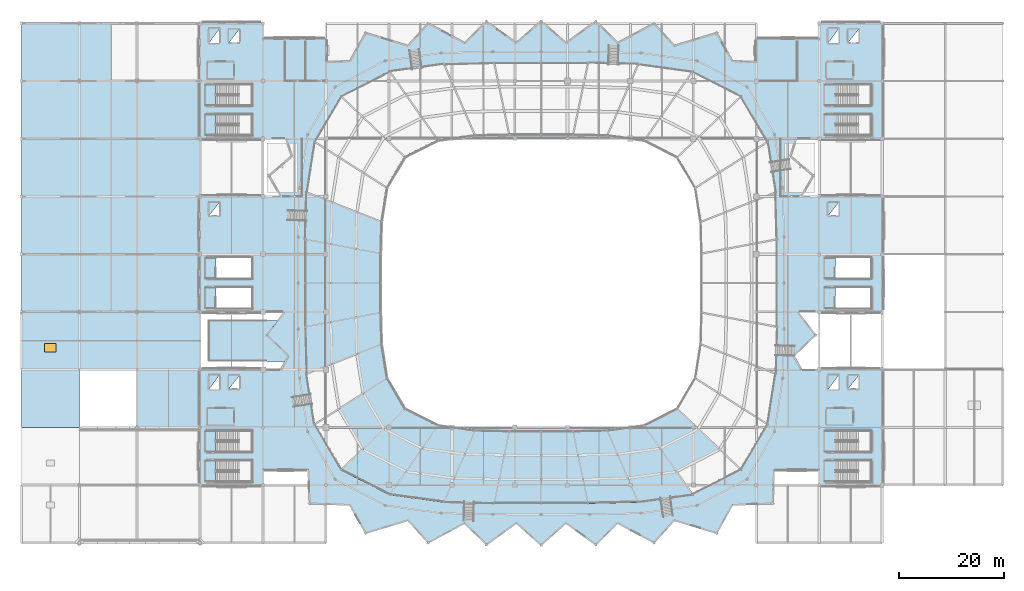
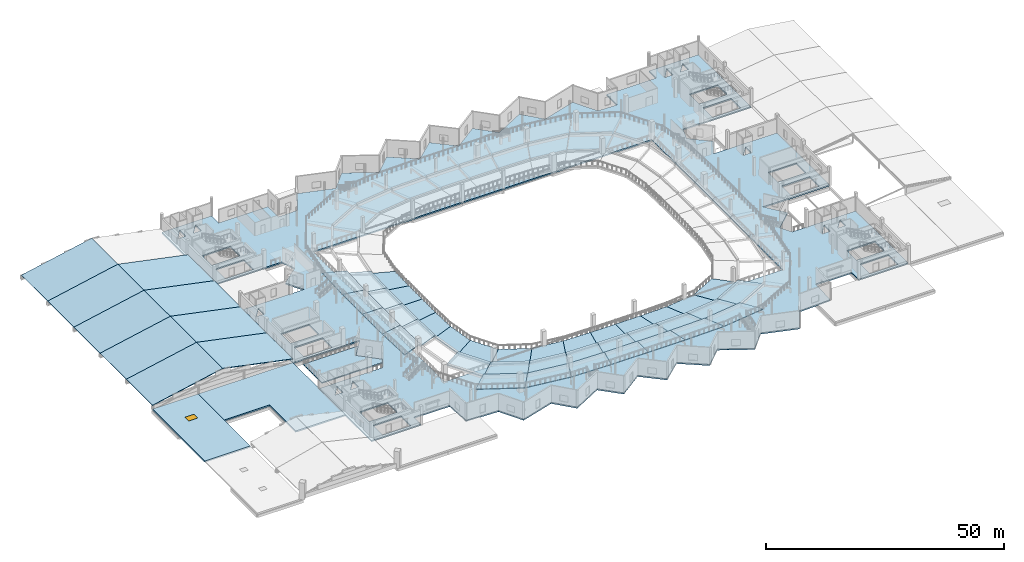
# One storey, part 35 of 77: 51 slabs, 1 window, 1 opening.
"""IFC4 building model written with IfcOpenShell, lengths in metres."""

from ifc_helpers import new_model, si_unit, direction, frame, origin, origin_2d, place, context, subcontext, project, spatial, polyline, rectangle, outline, extrude, material, layer, layer_set, type_object, element, fill, save


model = new_model("IFC4")

# Units and contexts
model_context = context("Model", 3, precision=1e-05, world=origin(), true_north=direction((0.0, 1.0)))
body_context = subcontext(model_context, "Body", "Model", "MODEL_VIEW")
ifc_project = project(units=[si_unit("LENGTHUNIT", "METRE"), si_unit("AREAUNIT", "SQUARE_METRE"), si_unit("VOLUMEUNIT", "CUBIC_METRE"), si_unit("PLANEANGLEUNIT", "RADIAN"), si_unit("MASSUNIT", "GRAM", prefix="KILO")], contexts=[model_context])

# Site, building, storey
site_placement = place(None, origin())
site = spatial("IfcSite", under=ifc_project, at=site_placement, CompositionType="ELEMENT")
building_placement = place(site_placement, origin())
building = spatial("IfcBuilding", under=site, at=building_placement, Name="Luwafu Chhajja Arena", CompositionType="ELEMENT")
storey_placement = place(building_placement, frame((0.0, 0.0, 14.699951171875)))
storey = spatial("IfcBuildingStorey", under=building, at=storey_placement, Name="L03", CompositionType="ELEMENT", Elevation=14.699951171875)

# Slab, opening, window
ifc_material_1 = material(Name="Concrete C35/45", Category="concrete")
ifc_layer_1 = layer(ifc_material_1, 0.360107421875, Name="Concrete C35/45")
ifc_layer_set_1 = layer_set([ifc_layer_1], Name="Concrete C35/45")
slab_type_1 = type_object("IfcSlabType", Name="Core Overrun Structural Roof Cap 360", PredefinedType="ROOF", material=ifc_layer_set_1)
slab_1_placement = place(storey_placement, frame((0.0, 0.0, -0.35986328125)))
slab_1 = element("IfcSlab", 1, at=slab_1_placement, inside=storey, type_object=slab_type_1, Name="L03 Core C7 Roof Slab", PredefinedType="ROOF", context=body_context, shape_type="SweptSolid", body=[
    extrude(outline(polyline([(0.0, 22.0), (11.0, 22.0), (11.0, 44.0), (0.0, 44.0), (0.0, 22.0)])), origin(), (0.0, 0.0, 1.0), 0.35986328125),
])
opening_placement = place(slab_1_placement, frame((5.5, 37.199951171875, -0.010009765625)))
opening = element("IfcOpeningElement", 2, at=opening_placement, cuts=slab_1, Name="Opening SK-01", PredefinedType="OPENING", context=body_context, shape_type="SweptSolid", body=[
    extrude(rectangle(XDim=2.199951171875, YDim=1.60009765625, at=origin_2d()), origin(), (0.0, 0.0, 1.0), 0.3798828125),
])
ifc_material_2 = material(Name="Solar-control laminated glass", Category="glass")
window_type = type_object("IfcWindowType", Name="Quadrant Core North-Light Skylight 2200x1600", PartitioningType="SINGLE_PANEL", PredefinedType="SKYLIGHT", material=ifc_material_2)
window_placement = place(opening_placement, frame((0.0, 0.0, 0.31982421875)))
window = element("IfcWindow", 3, at=window_placement, inside=storey, type_object=window_type, Name="L03 Roof Skylight and Access Hatch 11", OverallHeight=1.60009765625, OverallWidth=2.199951171875, PartitioningType="SINGLE_PANEL", PredefinedType="SKYLIGHT", context=body_context, shape_type="SweptSolid", body=[
    extrude(rectangle(XDim=2.199951171875, YDim=1.60009765625, at=origin_2d()), origin(), (0.0, 0.0, 1.0), 0.050048828125),
])
fill(opening, window)

# Slabs
slab_2_placement = place(storey_placement, frame((0.0, 0.0, -0.35986328125)))
element("IfcSlab", 4, at=slab_2_placement, inside=storey, type_object=slab_type_1, Name="L03 Podium Structural Roof Slab 01-1", PredefinedType="ROOF", context=body_context, shape_type="SweptSolid", body=[
    extrude(outline(polyline([(34.0, 33.02001953125), (33.97998046875, 33.0), (33.97998046875, 22.0), (22.0, 22.0), (22.0, 33.0), (11.02001953125, 33.0), (11.02001953125, 44.0), (33.97998046875, 44.0), (34.0, 43.97998046875), (34.0, 33.02001953125)])), origin(), (0.0, 0.0, 1.0), 0.35986328125),
])
ifc_layer_2 = layer(ifc_material_1, 0.27001953125, Name="Concrete C35/45")
ifc_layer_set_2 = layer_set([ifc_layer_2], Name="Concrete C35/45")
slab_type_2 = type_object("IfcSlabType", Name="External Viewing Terrace Slab 270", PredefinedType="FLOOR", material=ifc_layer_set_2)
slab_3_placement = place(storey_placement, frame((0.0, 0.0, -0.27001953125)))
element("IfcSlab", 5, at=slab_3_placement, inside=storey, type_object=slab_type_2, Name="L03 West Supporters Viewing Terrace", PredefinedType="FLOOR", context=body_context, shape_type="SweptSolid", body=[
    extrude(outline(polyline([(35.60009765625, 34.60009765625), (35.60009765625, 42.39990234375), (48.887939453125, 42.39990234375), (46.739990234375, 39.60205078125), (50.884033203125, 35.60400390625), (50.30908203125, 34.60009765625), (35.60009765625, 34.60009765625)])), origin(), (0.0, 0.0, 1.0), 0.27001953125),
])
ifc_material_3 = material(Name="Precast concrete C40/50", Category="concrete")
ifc_layer_3 = layer(ifc_material_3, 0.2099609375, Name="Precast concrete C40/50")
ifc_layer_set_3 = layer_set([ifc_layer_3], Name="Precast concrete C40/50")
slab_type_3 = type_object("IfcSlabType", Name="Precast Upper Seating Tier Slab 210", PredefinedType="USERDEFINED", material=ifc_layer_set_3)
slab_4_placement = place(storey_placement, frame((0.0, 0.0, 0.6201171875)))
element("IfcSlab", 6, at=slab_4_placement, inside=storey, type_object=slab_type_3, Name="Stand Upper Tier Sector 15 Row Band 1", ObjectType="SEATING TIER", PredefinedType="USERDEFINED", context=body_context, shape_type="SweptSolid", body=[
    extrude(outline(polyline([(68.676513671875, 61.11328125), (68.50830078125, 55.10791015625), (63.70947265625, 56.022705078125), (63.904296875, 63.007568359375), (68.676513671875, 61.11328125)])), origin(), (0.0, 0.0, 1.0), 0.2099609375),
])
slab_5_placement = place(storey_placement, frame((0.0, 0.0, 1.219970703125)))
element("IfcSlab", 7, at=slab_5_placement, inside=storey, type_object=slab_type_3, Name="Stand Upper Tier Sector 15 Row Band 2", ObjectType="SEATING TIER", PredefinedType="USERDEFINED", context=body_context, shape_type="SweptSolid", body=[
    extrude(outline(polyline([(63.904296875, 63.007568359375), (63.70947265625, 56.022705078125), (58.910888671875, 56.937255859375), (59.132080078125, 64.90185546875), (63.904296875, 63.007568359375)])), origin(), (0.0, 0.0, 1.0), 0.2099609375),
])
slab_6_placement = place(storey_placement, frame((0.0, 0.0, 1.820068359375)))
element("IfcSlab", 8, at=slab_6_placement, inside=storey, type_object=slab_type_3, Name="Stand Upper Tier Sector 15 Row Band 3", ObjectType="SEATING TIER", PredefinedType="USERDEFINED", context=body_context, shape_type="SweptSolid", body=[
    extrude(outline(polyline([(59.132080078125, 64.90185546875), (58.910888671875, 56.937255859375), (54.01220703125, 57.85205078125), (54.260498046875, 66.79638671875), (59.132080078125, 64.90185546875)])), origin(), (0.0, 0.0, 1.0), 0.2099609375),
])
slab_7_placement = place(storey_placement, frame((0.0, 0.0, 0.6201171875)))
element("IfcSlab", 9, at=slab_7_placement, inside=storey, type_object=slab_type_3, Name="Stand Upper Tier Sector 16 Row Band 1", ObjectType="SEATING TIER", PredefinedType="USERDEFINED", context=body_context, shape_type="SweptSolid", body=[
    extrude(outline(polyline([(68.50830078125, 55.10791015625), (68.5, 49.5), (63.699951171875, 49.5), (63.70947265625, 56.022705078125), (68.50830078125, 55.10791015625)])), origin(), (0.0, 0.0, 1.0), 0.2099609375),
])
slab_8_placement = place(storey_placement, frame((0.0, 0.0, 1.219970703125)))
element("IfcSlab", 10, at=slab_8_placement, inside=storey, type_object=slab_type_3, Name="Stand Upper Tier Sector 16 Row Band 2", ObjectType="SEATING TIER", PredefinedType="USERDEFINED", context=body_context, shape_type="SweptSolid", body=[
    extrude(outline(polyline([(63.70947265625, 56.022705078125), (63.699951171875, 49.5), (58.89990234375, 49.5), (58.910888671875, 56.937255859375), (63.70947265625, 56.022705078125)])), origin(), (0.0, 0.0, 1.0), 0.2099609375),
])
slab_9_placement = place(storey_placement, frame((0.0, 0.0, 1.820068359375)))
element("IfcSlab", 11, at=slab_9_placement, inside=storey, type_object=slab_type_3, Name="Stand Upper Tier Sector 16 Row Band 3", ObjectType="SEATING TIER", PredefinedType="USERDEFINED", context=body_context, shape_type="SweptSolid", body=[
    extrude(outline(polyline([(58.910888671875, 56.937255859375), (58.89990234375, 49.5), (54.0, 49.5), (54.01220703125, 57.85205078125), (58.910888671875, 56.937255859375)])), origin(), (0.0, 0.0, 1.0), 0.2099609375),
])
slab_10_placement = place(storey_placement, frame((0.0, 0.0, 0.6201171875)))
element("IfcSlab", 12, at=slab_10_placement, inside=storey, type_object=slab_type_3, Name="Stand Upper Tier Sector 17 Row Band 1", ObjectType="SEATING TIER", PredefinedType="USERDEFINED", context=body_context, shape_type="SweptSolid", body=[
    extrude(outline(polyline([(68.5, 49.5), (68.50830078125, 43.89208984375), (63.70947265625, 42.977294921875), (63.699951171875, 49.5), (68.5, 49.5)])), origin(), (0.0, 0.0, 1.0), 0.2099609375),
])
slab_11_placement = place(storey_placement, frame((0.0, 0.0, 1.219970703125)))
element("IfcSlab", 13, at=slab_11_placement, inside=storey, type_object=slab_type_3, Name="Stand Upper Tier Sector 17 Row Band 2", ObjectType="SEATING TIER", PredefinedType="USERDEFINED", context=body_context, shape_type="SweptSolid", body=[
    extrude(outline(polyline([(63.699951171875, 49.5), (63.70947265625, 42.977294921875), (58.910888671875, 42.062744140625), (58.89990234375, 49.5), (63.699951171875, 49.5)])), origin(), (0.0, 0.0, 1.0), 0.2099609375),
])
slab_12_placement = place(storey_placement, frame((0.0, 0.0, 1.820068359375)))
element("IfcSlab", 14, at=slab_12_placement, inside=storey, type_object=slab_type_3, Name="Stand Upper Tier Sector 17 Row Band 3", ObjectType="SEATING TIER", PredefinedType="USERDEFINED", context=body_context, shape_type="SweptSolid", body=[
    extrude(outline(polyline([(58.89990234375, 49.5), (58.910888671875, 42.062744140625), (54.01220703125, 41.14794921875), (54.0, 49.5), (58.89990234375, 49.5)])), origin(), (0.0, 0.0, 1.0), 0.2099609375),
])
slab_13_placement = place(storey_placement, frame((0.0, 0.0, 0.6201171875)))
element("IfcSlab", 15, at=slab_13_placement, inside=storey, type_object=slab_type_3, Name="Stand Upper Tier Sector 18 Row Band 1", ObjectType="SEATING TIER", PredefinedType="USERDEFINED", context=body_context, shape_type="SweptSolid", body=[
    extrude(outline(polyline([(68.50830078125, 43.89208984375), (68.676513671875, 37.88671875), (63.904296875, 35.992431640625), (63.70947265625, 42.977294921875), (68.50830078125, 43.89208984375)])), origin(), (0.0, 0.0, 1.0), 0.2099609375),
])
slab_14_placement = place(storey_placement, frame((0.0, 0.0, 1.219970703125)))
element("IfcSlab", 16, at=slab_14_placement, inside=storey, type_object=slab_type_3, Name="Stand Upper Tier Sector 18 Row Band 2", ObjectType="SEATING TIER", PredefinedType="USERDEFINED", context=body_context, shape_type="SweptSolid", body=[
    extrude(outline(polyline([(63.70947265625, 42.977294921875), (63.904296875, 35.992431640625), (59.132080078125, 34.09814453125), (58.910888671875, 42.062744140625), (63.70947265625, 42.977294921875)])), origin(), (0.0, 0.0, 1.0), 0.2099609375),
])
slab_15_placement = place(storey_placement, frame((0.0, 0.0, 1.820068359375)))
element("IfcSlab", 17, at=slab_15_placement, inside=storey, type_object=slab_type_3, Name="Stand Upper Tier Sector 18 Row Band 3", ObjectType="SEATING TIER", PredefinedType="USERDEFINED", context=body_context, shape_type="SweptSolid", body=[
    extrude(outline(polyline([(58.910888671875, 42.062744140625), (59.132080078125, 34.09814453125), (54.260498046875, 32.20361328125), (54.01220703125, 41.14794921875), (58.910888671875, 42.062744140625)])), origin(), (0.0, 0.0, 1.0), 0.2099609375),
])
slab_16_placement = place(storey_placement, frame((0.0, 0.0, 0.6201171875)))
element("IfcSlab", 18, at=slab_16_placement, inside=storey, type_object=slab_type_3, Name="Stand Upper Tier Sector 19 Row Band 1", ObjectType="SEATING TIER", PredefinedType="USERDEFINED", context=body_context, shape_type="SweptSolid", body=[
    extrude(outline(polyline([(68.676513671875, 37.88671875), (69.701416015625, 31.399658203125), (65.090576171875, 28.447021484375), (63.904296875, 35.992431640625), (68.676513671875, 37.88671875)])), origin(), (0.0, 0.0, 1.0), 0.2099609375),
])
slab_17_placement = place(storey_placement, frame((0.0, 0.0, 0.6201171875)))
element("IfcSlab", 19, at=slab_17_placement, inside=storey, type_object=slab_type_3, Name="Stand Upper Tier Sector 20 Row Band 1", ObjectType="SEATING TIER", PredefinedType="USERDEFINED", context=body_context, shape_type="SweptSolid", body=[
    extrude(outline(polyline([(69.701416015625, 31.399658203125), (73.14013671875, 25.590087890625), (69.0703125, 21.690185546875), (65.090576171875, 28.447021484375), (69.701416015625, 31.399658203125)])), origin(), (0.0, 0.0, 1.0), 0.2099609375),
])
slab_18_placement = place(storey_placement, frame((0.0, 0.0, 1.219970703125)))
element("IfcSlab", 20, at=slab_18_placement, inside=storey, type_object=slab_type_3, Name="Stand Upper Tier Sector 20 Row Band 2", ObjectType="SEATING TIER", PredefinedType="USERDEFINED", context=body_context, shape_type="SweptSolid", body=[
    extrude(outline(polyline([(65.090576171875, 28.447021484375), (69.0703125, 21.690185546875), (65.000732421875, 17.789794921875), (60.479736328125, 25.49462890625), (65.090576171875, 28.447021484375)])), origin(), (0.0, 0.0, 1.0), 0.2099609375),
])
slab_19_placement = place(storey_placement, frame((0.0, 0.0, 0.6201171875)))
element("IfcSlab", 21, at=slab_19_placement, inside=storey, type_object=slab_type_3, Name="Stand Upper Tier Sector 21 Row Band 1", ObjectType="SEATING TIER", PredefinedType="USERDEFINED", context=body_context, shape_type="SweptSolid", body=[
    extrude(outline(polyline([(73.14013671875, 25.590087890625), (79.42333984375, 22.410888671875), (76.342529296875, 17.9921875), (69.0703125, 21.690185546875), (73.14013671875, 25.590087890625)])), origin(), (0.0, 0.0, 1.0), 0.2099609375),
])
slab_20_placement = place(storey_placement, frame((0.0, 0.0, 1.219970703125)))
element("IfcSlab", 22, at=slab_20_placement, inside=storey, type_object=slab_type_3, Name="Stand Upper Tier Sector 21 Row Band 2", ObjectType="SEATING TIER", PredefinedType="USERDEFINED", context=body_context, shape_type="SweptSolid", body=[
    extrude(outline(polyline([(69.0703125, 21.690185546875), (76.342529296875, 17.9921875), (73.26171875, 13.5732421875), (65.000732421875, 17.789794921875), (69.0703125, 21.690185546875)])), origin(), (0.0, 0.0, 1.0), 0.2099609375),
])
slab_21_placement = place(storey_placement, frame((0.0, 0.0, 1.820068359375)))
element("IfcSlab", 23, at=slab_21_placement, inside=storey, type_object=slab_type_3, Name="Stand Upper Tier Sector 21 Row Band 3", ObjectType="SEATING TIER", PredefinedType="USERDEFINED", context=body_context, shape_type="SweptSolid", body=[
    extrude(outline(polyline([(65.000732421875, 17.789794921875), (73.26171875, 13.5732421875), (70.116455078125, 9.154541015625), (60.84619140625, 13.8896484375), (65.000732421875, 17.789794921875)])), origin(), (0.0, 0.0, 1.0), 0.2099609375),
])
slab_22_placement = place(storey_placement, frame((0.0, 0.0, 0.6201171875)))
element("IfcSlab", 24, at=slab_22_placement, inside=storey, type_object=slab_type_3, Name="Stand Upper Tier Sector 22 Row Band 1", ObjectType="SEATING TIER", PredefinedType="USERDEFINED", context=body_context, shape_type="SweptSolid", body=[
    extrude(outline(polyline([(79.42333984375, 22.410888671875), (86.439697265625, 21.463134765625), (84.462890625, 16.889892578125), (76.342529296875, 17.9921875), (79.42333984375, 22.410888671875)])), origin(), (0.0, 0.0, 1.0), 0.2099609375),
])
slab_23_placement = place(storey_placement, frame((0.0, 0.0, 1.219970703125)))
element("IfcSlab", 25, at=slab_23_placement, inside=storey, type_object=slab_type_3, Name="Stand Upper Tier Sector 22 Row Band 2", ObjectType="SEATING TIER", PredefinedType="USERDEFINED", context=body_context, shape_type="SweptSolid", body=[
    extrude(outline(polyline([(76.342529296875, 17.9921875), (84.462890625, 16.889892578125), (82.486083984375, 12.31640625), (73.26171875, 13.5732421875), (76.342529296875, 17.9921875)])), origin(), (0.0, 0.0, 1.0), 0.2099609375),
])
slab_24_placement = place(storey_placement, frame((0.0, 0.0, 1.820068359375)))
element("IfcSlab", 26, at=slab_24_placement, inside=storey, type_object=slab_type_3, Name="Stand Upper Tier Sector 22 Row Band 3", ObjectType="SEATING TIER", PredefinedType="USERDEFINED", context=body_context, shape_type="SweptSolid", body=[
    extrude(outline(polyline([(73.26171875, 13.5732421875), (82.486083984375, 12.31640625), (80.46826171875, 7.7431640625), (70.116455078125, 9.154541015625), (73.26171875, 13.5732421875)])), origin(), (0.0, 0.0, 1.0), 0.2099609375),
])
slab_25_placement = place(storey_placement, frame((0.0, 0.0, 0.6201171875)))
element("IfcSlab", 27, at=slab_25_placement, inside=storey, type_object=slab_type_3, Name="Stand Upper Tier Sector 23 Row Band 1", ObjectType="SEATING TIER", PredefinedType="USERDEFINED", context=body_context, shape_type="SweptSolid", body=[
    extrude(outline(polyline([(86.439697265625, 21.463134765625), (92.934814453125, 21.3076171875), (91.980224609375, 16.708740234375), (84.462890625, 16.889892578125), (86.439697265625, 21.463134765625)])), origin(), (0.0, 0.0, 1.0), 0.2099609375),
])
slab_26_placement = place(storey_placement, frame((0.0, 0.0, 1.219970703125)))
element("IfcSlab", 28, at=slab_26_placement, inside=storey, type_object=slab_type_3, Name="Stand Upper Tier Sector 23 Row Band 2", ObjectType="SEATING TIER", PredefinedType="USERDEFINED", context=body_context, shape_type="SweptSolid", body=[
    extrude(outline(polyline([(84.462890625, 16.889892578125), (91.980224609375, 16.708740234375), (91.02587890625, 12.110107421875), (82.486083984375, 12.31640625), (84.462890625, 16.889892578125)])), origin(), (0.0, 0.0, 1.0), 0.2099609375),
])
slab_27_placement = place(storey_placement, frame((0.0, 0.0, 1.820068359375)))
element("IfcSlab", 29, at=slab_27_placement, inside=storey, type_object=slab_type_3, Name="Stand Upper Tier Sector 23 Row Band 3", ObjectType="SEATING TIER", PredefinedType="USERDEFINED", context=body_context, shape_type="SweptSolid", body=[
    extrude(outline(polyline([(82.486083984375, 12.31640625), (91.02587890625, 12.110107421875), (90.051513671875, 7.51123046875), (80.46826171875, 7.7431640625), (82.486083984375, 12.31640625)])), origin(), (0.0, 0.0, 1.0), 0.2099609375),
])
slab_28_placement = place(storey_placement, frame((0.0, 0.0, 0.6201171875)))
element("IfcSlab", 30, at=slab_28_placement, inside=storey, type_object=slab_type_3, Name="Stand Upper Tier Sector 24 Row Band 1", ObjectType="SEATING TIER", PredefinedType="USERDEFINED", context=body_context, shape_type="SweptSolid", body=[
    extrude(outline(polyline([(92.934814453125, 21.3076171875), (99.0, 21.300048828125), (99.0, 16.699951171875), (91.980224609375, 16.708740234375), (92.934814453125, 21.3076171875)])), origin(), (0.0, 0.0, 1.0), 0.2099609375),
])
slab_29_placement = place(storey_placement, frame((0.0, 0.0, 1.219970703125)))
element("IfcSlab", 31, at=slab_29_placement, inside=storey, type_object=slab_type_3, Name="Stand Upper Tier Sector 24 Row Band 2", ObjectType="SEATING TIER", PredefinedType="USERDEFINED", context=body_context, shape_type="SweptSolid", body=[
    extrude(outline(polyline([(91.980224609375, 16.708740234375), (99.0, 16.699951171875), (99.0, 12.10009765625), (91.02587890625, 12.110107421875), (91.980224609375, 16.708740234375)])), origin(), (0.0, 0.0, 1.0), 0.2099609375),
])
slab_30_placement = place(storey_placement, frame((0.0, 0.0, 1.820068359375)))
element("IfcSlab", 32, at=slab_30_placement, inside=storey, type_object=slab_type_3, Name="Stand Upper Tier Sector 24 Row Band 3", ObjectType="SEATING TIER", PredefinedType="USERDEFINED", context=body_context, shape_type="SweptSolid", body=[
    extrude(outline(polyline([(91.02587890625, 12.110107421875), (99.0, 12.10009765625), (99.0, 7.5), (90.051513671875, 7.51123046875), (91.02587890625, 12.110107421875)])), origin(), (0.0, 0.0, 1.0), 0.2099609375),
])
slab_31_placement = place(storey_placement, frame((0.0, 0.0, 0.6201171875)))
element("IfcSlab", 33, at=slab_31_placement, inside=storey, type_object=slab_type_3, Name="Stand Upper Tier Sector 25 Row Band 1", ObjectType="SEATING TIER", PredefinedType="USERDEFINED", context=body_context, shape_type="SweptSolid", body=[
    extrude(outline(polyline([(99.0, 21.300048828125), (105.065185546875, 21.3076171875), (106.019775390625, 16.708740234375), (99.0, 16.699951171875), (99.0, 21.300048828125)])), origin(), (0.0, 0.0, 1.0), 0.2099609375),
])
slab_32_placement = place(storey_placement, frame((0.0, 0.0, 1.219970703125)))
element("IfcSlab", 34, at=slab_32_placement, inside=storey, type_object=slab_type_3, Name="Stand Upper Tier Sector 25 Row Band 2", ObjectType="SEATING TIER", PredefinedType="USERDEFINED", context=body_context, shape_type="SweptSolid", body=[
    extrude(outline(polyline([(99.0, 16.699951171875), (106.019775390625, 16.708740234375), (106.97412109375, 12.110107421875), (99.0, 12.10009765625), (99.0, 16.699951171875)])), origin(), (0.0, 0.0, 1.0), 0.2099609375),
])
slab_33_placement = place(storey_placement, frame((0.0, 0.0, 1.820068359375)))
element("IfcSlab", 35, at=slab_33_placement, inside=storey, type_object=slab_type_3, Name="Stand Upper Tier Sector 25 Row Band 3", ObjectType="SEATING TIER", PredefinedType="USERDEFINED", context=body_context, shape_type="SweptSolid", body=[
    extrude(outline(polyline([(99.0, 12.10009765625), (106.97412109375, 12.110107421875), (107.948486328125, 7.51123046875), (99.0, 7.5), (99.0, 12.10009765625)])), origin(), (0.0, 0.0, 1.0), 0.2099609375),
])
slab_34_placement = place(storey_placement, frame((0.0, 0.0, 0.6201171875)))
element("IfcSlab", 36, at=slab_34_placement, inside=storey, type_object=slab_type_3, Name="Stand Upper Tier Sector 26 Row Band 1", ObjectType="SEATING TIER", PredefinedType="USERDEFINED", context=body_context, shape_type="SweptSolid", body=[
    extrude(outline(polyline([(105.065185546875, 21.3076171875), (111.560302734375, 21.463134765625), (113.537109375, 16.889892578125), (106.019775390625, 16.708740234375), (105.065185546875, 21.3076171875)])), origin(), (0.0, 0.0, 1.0), 0.2099609375),
])
slab_35_placement = place(storey_placement, frame((0.0, 0.0, 1.219970703125)))
element("IfcSlab", 37, at=slab_35_placement, inside=storey, type_object=slab_type_3, Name="Stand Upper Tier Sector 26 Row Band 2", ObjectType="SEATING TIER", PredefinedType="USERDEFINED", context=body_context, shape_type="SweptSolid", body=[
    extrude(outline(polyline([(106.019775390625, 16.708740234375), (113.537109375, 16.889892578125), (115.513916015625, 12.31640625), (106.97412109375, 12.110107421875), (106.019775390625, 16.708740234375)])), origin(), (0.0, 0.0, 1.0), 0.2099609375),
])
slab_36_placement = place(storey_placement, frame((0.0, 0.0, 1.820068359375)))
element("IfcSlab", 38, at=slab_36_placement, inside=storey, type_object=slab_type_3, Name="Stand Upper Tier Sector 26 Row Band 3", ObjectType="SEATING TIER", PredefinedType="USERDEFINED", context=body_context, shape_type="SweptSolid", body=[
    extrude(outline(polyline([(106.97412109375, 12.110107421875), (115.513916015625, 12.31640625), (117.53173828125, 7.7431640625), (107.948486328125, 7.51123046875), (106.97412109375, 12.110107421875)])), origin(), (0.0, 0.0, 1.0), 0.2099609375),
])
slab_37_placement = place(storey_placement, frame((0.0, 0.0, 0.6201171875)))
element("IfcSlab", 39, at=slab_37_placement, inside=storey, type_object=slab_type_3, Name="Stand Upper Tier Sector 27 Row Band 1", ObjectType="SEATING TIER", PredefinedType="USERDEFINED", context=body_context, shape_type="SweptSolid", body=[
    extrude(outline(polyline([(111.560302734375, 21.463134765625), (118.57666015625, 22.410888671875), (121.657470703125, 17.9921875), (113.537109375, 16.889892578125), (111.560302734375, 21.463134765625)])), origin(), (0.0, 0.0, 1.0), 0.2099609375),
])
slab_38_placement = place(storey_placement, frame((0.0, 0.0, 1.219970703125)))
element("IfcSlab", 40, at=slab_38_placement, inside=storey, type_object=slab_type_3, Name="Stand Upper Tier Sector 27 Row Band 2", ObjectType="SEATING TIER", PredefinedType="USERDEFINED", context=body_context, shape_type="SweptSolid", body=[
    extrude(outline(polyline([(113.537109375, 16.889892578125), (121.657470703125, 17.9921875), (124.73828125, 13.5732421875), (115.513916015625, 12.31640625), (113.537109375, 16.889892578125)])), origin(), (0.0, 0.0, 1.0), 0.2099609375),
])
slab_39_placement = place(storey_placement, frame((0.0, 0.0, 1.820068359375)))
element("IfcSlab", 41, at=slab_39_placement, inside=storey, type_object=slab_type_3, Name="Stand Upper Tier Sector 27 Row Band 3", ObjectType="SEATING TIER", PredefinedType="USERDEFINED", context=body_context, shape_type="SweptSolid", body=[
    extrude(outline(polyline([(115.513916015625, 12.31640625), (124.73828125, 13.5732421875), (127.883544921875, 9.154541015625), (117.53173828125, 7.7431640625), (115.513916015625, 12.31640625)])), origin(), (0.0, 0.0, 1.0), 0.2099609375),
])
slab_40_placement = place(storey_placement, frame((0.0, 0.0, 0.6201171875)))
element("IfcSlab", 42, at=slab_40_placement, inside=storey, type_object=slab_type_3, Name="Stand Upper Tier Sector 28 Row Band 1", ObjectType="SEATING TIER", PredefinedType="USERDEFINED", context=body_context, shape_type="SweptSolid", body=[
    extrude(outline(polyline([(118.57666015625, 22.410888671875), (124.85986328125, 25.590087890625), (128.9296875, 21.690185546875), (121.657470703125, 17.9921875), (118.57666015625, 22.410888671875)])), origin(), (0.0, 0.0, 1.0), 0.2099609375),
])
slab_41_placement = place(storey_placement, frame((0.0, 0.0, 1.219970703125)))
element("IfcSlab", 43, at=slab_41_placement, inside=storey, type_object=slab_type_3, Name="Stand Upper Tier Sector 28 Row Band 2", ObjectType="SEATING TIER", PredefinedType="USERDEFINED", context=body_context, shape_type="SweptSolid", body=[
    extrude(outline(polyline([(121.657470703125, 17.9921875), (128.9296875, 21.690185546875), (132.999267578125, 17.789794921875), (124.73828125, 13.5732421875), (121.657470703125, 17.9921875)])), origin(), (0.0, 0.0, 1.0), 0.2099609375),
])
ifc_layer_4 = layer(ifc_material_1, 0.340087890625, Name="Concrete C35/45")
ifc_layer_set_4 = layer_set([ifc_layer_4], Name="Concrete C35/45")
slab_type_4 = type_object("IfcSlabType", Name="Upper Concourse Floor Slab 340", PredefinedType="FLOOR", material=ifc_layer_set_4)
slab_42_placement = place(storey_placement, frame((0.0, 0.0, -0.33984375)))
element("IfcSlab", 44, at=slab_42_placement, inside=storey, type_object=slab_type_4, Name="L03 Structural Floor Slab 1", PredefinedType="FLOOR", context=body_context, shape_type="SweptSolid", body=[
    extrude(outline(polyline([(65.572998046875, 97.135986328125), (73.635986328125, 94.68408203125), (77.489013671875, 98.948974609375), (84.43310546875, 95.22412109375), (88.587890625, 99.343017578125), (94.27197265625, 95.2099609375), (99.0, 99.39990234375), (103.72802734375, 95.2099609375), (109.412109375, 99.343017578125), (113.56689453125, 95.22412109375), (120.510986328125, 98.948974609375), (124.364013671875, 94.68408203125), (132.427978515625, 97.135986328125), (135.426025390625, 91.762939453125), (140.0, 91.592041015625), (140.0, 96.0), (152.0, 96.0), (152.0, 99.0), (164.0, 99.0), (164.0, 77.0), (147.587890625, 77.0), (146.50390625, 73.677978515625), (150.863037109375, 69.955078125), (148.595947265625, 66.0), (164.0, 66.0), (164.0, 44.0), (147.868896484375, 44.0), (151.25, 39.60400390625), (147.10302734375, 35.60595703125), (148.595947265625, 33.0), (164.0, 33.0), (164.0, 11.0), (152.0, 11.0), (152.0, 14.0), (143.365966796875, 14.0), (143.083984375, 7.52392578125), (135.426025390625, 7.237060546875), (132.427978515625, 1.864013671875), (124.364013671875, 4.31591796875), (120.510986328125, 0.051025390625), (113.56689453125, 3.77587890625), (109.412109375, -0.343017578125), (103.72802734375, 3.7900390625), (99.0, -0.39990234375), (94.27197265625, 3.7900390625), (88.587890625, -0.343017578125), (84.43310546875, 3.77587890625), (77.489013671875, 0.051025390625), (73.635986328125, 4.31591796875), (65.572998046875, 1.864013671875), (62.573974609375, 7.237060546875), (54.916015625, 7.52392578125), (54.634033203125, 14.0), (46.0, 14.0), (46.0, 11.0), (34.0, 11.0), (34.0, 33.0), (49.404052734375, 33.0), (50.89697265625, 35.60595703125), (46.75, 39.60400390625), (50.131103515625, 44.0), (34.0, 44.0), (34.0, 66.0), (49.404052734375, 66.0), (47.136962890625, 69.955078125), (51.49609375, 73.677978515625), (50.412109375, 77.0), (34.0, 77.0), (34.0, 99.0), (46.0, 99.0), (46.0, 96.0), (58.0, 96.0), (58.0, 91.592041015625), (62.573974609375, 91.762939453125), (65.572998046875, 97.135986328125)]), holes=[polyline([(155.06494140625, 87.35009765625), (155.06494140625, 83.31005859375), (161.89990234375, 83.31005859375), (161.89990234375, 87.35009765625), (155.06494140625, 87.35009765625)]), polyline([(155.06494140625, 77.64990234375), (161.89990234375, 77.64990234375), (161.89990234375, 81.68994140625), (155.06494140625, 81.68994140625), (155.06494140625, 77.64990234375)]), polyline([(155.06494140625, 54.35009765625), (155.06494140625, 50.31005859375), (161.89990234375, 50.31005859375), (161.89990234375, 54.35009765625), (155.06494140625, 54.35009765625)]), polyline([(155.06494140625, 44.64990234375), (161.89990234375, 44.64990234375), (161.89990234375, 48.68994140625), (155.06494140625, 48.68994140625), (155.06494140625, 44.64990234375)]), polyline([(155.06494140625, 21.35009765625), (155.06494140625, 17.31005859375), (161.89990234375, 17.31005859375), (161.89990234375, 21.35009765625), (155.06494140625, 21.35009765625)]), polyline([(155.06494140625, 11.64990234375), (161.89990234375, 11.64990234375), (161.89990234375, 15.68994140625), (155.06494140625, 15.68994140625), (155.06494140625, 11.64990234375)]), polyline([(159.469970703125, 29.3798828125), (159.469970703125, 31.820068359375), (157.530029296875, 29.3798828125), (159.469970703125, 29.3798828125)]), polyline([(157.530029296875, 95.3798828125), (159.469970703125, 95.3798828125), (159.469970703125, 97.820068359375), (157.530029296875, 95.3798828125)]), polyline([(155.669921875, 31.945068359375), (153.72998046875, 29.2548828125), (155.669921875, 29.2548828125), (155.669921875, 31.945068359375)]), polyline([(155.669921875, 62.3798828125), (155.669921875, 64.820068359375), (153.72998046875, 62.3798828125), (155.669921875, 62.3798828125)]), polyline([(155.669921875, 95.2548828125), (155.669921875, 97.945068359375), (153.72998046875, 95.2548828125), (155.669921875, 95.2548828125)]), polyline([(58.0, 22.0), (140.0, 22.0), (140.0, 77.0), (58.0, 77.0), (58.0, 22.0)]), polyline([(43.89990234375, 81.68994140625), (37.06494140625, 81.68994140625), (37.06494140625, 77.64990234375), (43.89990234375, 77.64990234375), (43.89990234375, 81.68994140625)]), polyline([(43.89990234375, 83.31005859375), (43.89990234375, 87.35009765625), (37.06494140625, 87.35009765625), (37.06494140625, 83.31005859375), (43.89990234375, 83.31005859375)]), polyline([(43.89990234375, 50.31005859375), (43.89990234375, 54.35009765625), (37.06494140625, 54.35009765625), (37.06494140625, 50.31005859375), (43.89990234375, 50.31005859375)]), polyline([(43.89990234375, 48.68994140625), (37.06494140625, 48.68994140625), (37.06494140625, 44.64990234375), (43.89990234375, 44.64990234375), (43.89990234375, 48.68994140625)]), polyline([(43.89990234375, 17.31005859375), (43.89990234375, 21.35009765625), (37.06494140625, 21.35009765625), (37.06494140625, 17.31005859375), (43.89990234375, 17.31005859375)]), polyline([(43.89990234375, 15.68994140625), (37.06494140625, 15.68994140625), (37.06494140625, 11.64990234375), (43.89990234375, 11.64990234375), (43.89990234375, 15.68994140625)]), polyline([(41.469970703125, 97.820068359375), (39.530029296875, 95.3798828125), (41.469970703125, 95.3798828125), (41.469970703125, 97.820068359375)]), polyline([(39.530029296875, 29.3798828125), (41.469970703125, 29.3798828125), (41.469970703125, 31.820068359375), (39.530029296875, 29.3798828125)]), polyline([(37.669921875, 64.820068359375), (35.72998046875, 62.3798828125), (37.669921875, 62.3798828125), (37.669921875, 64.820068359375)]), polyline([(37.669921875, 29.2548828125), (37.669921875, 31.945068359375), (35.72998046875, 29.2548828125), (37.669921875, 29.2548828125)]), polyline([(35.72998046875, 95.2548828125), (37.669921875, 95.2548828125), (37.669921875, 97.945068359375), (35.72998046875, 95.2548828125)])]), origin(), (0.0, 0.0, 1.0), 0.33984375),
])
ifc_layer_5 = layer(ifc_material_3, 0.159912109375, Name="Precast concrete C40/50")
ifc_layer_set_5 = layer_set([ifc_layer_5], Name="Precast concrete C40/50")
slab_type_5 = type_object("IfcSlabType", Name="Warm-Up Court Acoustic Roof Slab 160", PredefinedType="ROOF", material=ifc_layer_set_5)
for number, where, z_axis, x_axis, name in (
    (45, (0.0, 44.0, 0.949951171875), (-0.20165292067, 0.0, 0.979457043257), (0.979457043257, 0.0, 0.20165292067), "Warm-Up Court West Pitched Roof Slab 4"),
    (46, (17.0, 44.0, 4.449951171875), (0.20165292067, 0.0, 0.979457043257), (0.979457043257, 0.0, -0.20165292067), "Warm-Up Court East Pitched Roof Slab 4"),
    (47, (0.0, 55.0, 0.949951171875), (-0.20165292067, 0.0, 0.979457043257), (0.979457043257, 0.0, 0.20165292067), "Warm-Up Court West Pitched Roof Slab 5"),
    (48, (17.0, 55.0, 4.449951171875), (0.20165292067, 0.0, 0.979457043257), (0.979457043257, 0.0, -0.20165292067), "Warm-Up Court East Pitched Roof Slab 5"),
    (49, (0.0, 66.0, 0.949951171875), (-0.20165292067, 0.0, 0.979457043257), (0.979457043257, 0.0, 0.20165292067), "Warm-Up Court West Pitched Roof Slab 6"),
    (50, (17.0, 66.0, 4.449951171875), (0.20165292067, 0.0, 0.979457043257), (0.979457043257, 0.0, -0.20165292067), "Warm-Up Court East Pitched Roof Slab 6"),
    (51, (0.0, 77.0, 0.949951171875), (-0.20165292067, 0.0, 0.979457043257), (0.979457043257, 0.0, 0.20165292067), "Warm-Up Court West Pitched Roof Slab 7"),
    (52, (17.0, 77.0, 4.449951171875), (0.20165292067, 0.0, 0.979457043257), (0.979457043257, 0.0, -0.20165292067), "Warm-Up Court East Pitched Roof Slab 7"),
    (53, (0.0, 88.0, 0.949951171875), (-0.20165292067, 0.0, 0.979457043257), (0.979457043257, 0.0, 0.20165292067), "Warm-Up Court West Pitched Roof Slab 8"),
):
    element("IfcSlab", number, at=place(storey_placement, frame(where, z_axis=z_axis, x_axis=x_axis)), inside=storey, type_object=slab_type_5, Name=name, PredefinedType="ROOF", context=body_context, shape_type="SweptSolid", body=[
        extrude(outline(polyline([(0.0, 0.0), (17.356554957709783, 0.0), (17.356554957709783, 10.999999999999998), (0.0, 10.999999999999998), (0.0, 0.0)])), origin(), (0.0, 0.0, -1.0), 0.159912109375),
    ])

save(model, "model.ifc")
